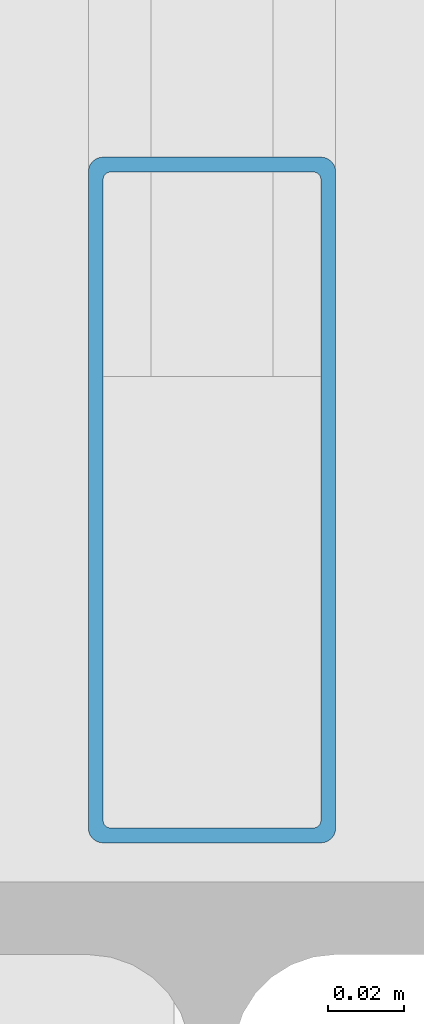
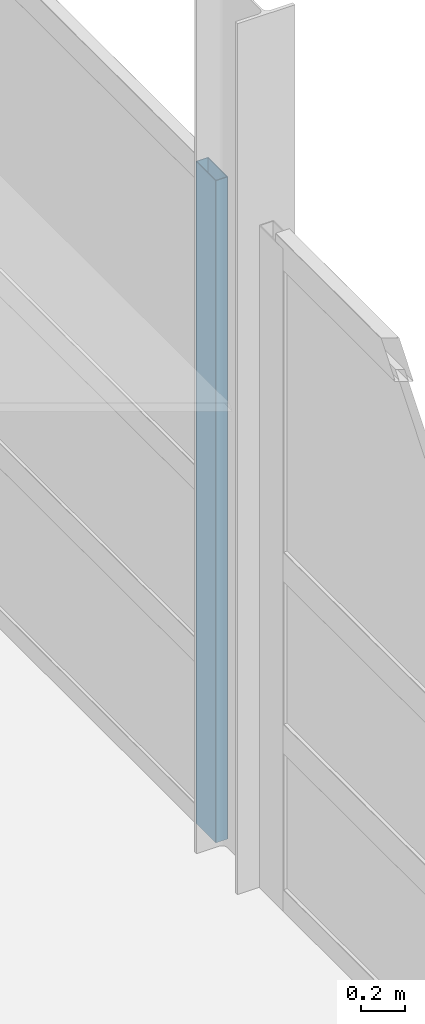
# One storey, part 49 of 147: 1 member, 1 element without a shape of its own.
"""IFC4 building model written with IfcOpenShell, lengths in metres."""

from ifc_helpers import new_model, si_unit, direction, frame, origin, origin_2d, place, context, subcontext, project, spatial, hollow_rectangle, extrude, material, material_profile, profile_set, type_object, element, aggregate, save


model = new_model("IFC4")

# Units and contexts
model_context = context("Model", 3, precision=1e-05, world=origin(), true_north=direction((0.0, 1.0)))
body_context = subcontext(model_context, "Body", "Model", "MODEL_VIEW")
ifc_project = project(units=[si_unit("LENGTHUNIT", "METRE"), si_unit("AREAUNIT", "SQUARE_METRE"), si_unit("VOLUMEUNIT", "CUBIC_METRE"), si_unit("PLANEANGLEUNIT", "RADIAN"), si_unit("MASSUNIT", "GRAM", prefix="KILO")], contexts=[model_context])

# Site, building, storey
site_placement = place(None, origin())
site = spatial("IfcSite", under=ifc_project, at=site_placement, CompositionType="ELEMENT")
building_placement = place(site_placement, origin())
building = spatial("IfcBuilding", under=site, at=building_placement, Name="Khelvaren Railside Concert Hall", CompositionType="ELEMENT")
storey_placement = place(building_placement, frame((0.0, 0.0, 5.39990234375)))
storey = spatial("IfcBuildingStorey", under=building, at=storey_placement, Name="L01", CompositionType="ELEMENT", Elevation=5.39990234375)

# Curtain wall, member
ifc_material_1 = material(Name="Double-glazed low-E dark acoustic glass", Category="glass")
curtain_wall_type = type_object("IfcCurtainWallType", Name="CW65", PredefinedType="USERDEFINED", material=ifc_material_1)
curtain_wall_placement = place(storey_placement, origin())
curtain_wall = element("IfcCurtainWall", 1, at=curtain_wall_placement, inside=storey, type_object=curtain_wall_type, Name="Unitised Curtain Wall CW-V2-L01-E-30", ObjectType="UNITISED CURTAIN WALL", PredefinedType="USERDEFINED")
ifc_material_2 = material(Name="Anodised architectural aluminium 6063-T6", Category="aluminium")
ifc_material_profile = material_profile(ifc_material_2, hollow_rectangle(XDim=0.06494140625, YDim=0.179931640625, WallThickness=0.00390625, InnerFilletRadius=0.001953125, OuterFilletRadius=0.00390625, at=origin_2d()), Name="CWM 65x180x4")
ifc_profile_set = profile_set([ifc_material_profile], Name="Anodised architectural aluminium 6063-T6")
member_type = type_object("IfcMemberType", Name="CWM63", PredefinedType="MULLION", material=ifc_profile_set)
member_placement = place(storey_placement, frame((184.0, 30.695068359375, 0.0), z_axis=(0.0, 0.0, 1.0), x_axis=(1.0, 0.0, 0.0)))
member = element("IfcMember", 2, at=member_placement, type_object=member_type, Name="CW65 mullion 4", PredefinedType="MULLION", context=body_context, shape_type="SweptSolid", body=[
    extrude(hollow_rectangle(XDim=0.06494140625, YDim=0.179931640625, WallThickness=0.00390625, InnerFilletRadius=0.001953125, OuterFilletRadius=0.00390625, at=origin_2d()), origin(), (0.0, 0.0, 1.0), 3.650146484375),
])
aggregate(curtain_wall, [member])

save(model, "model.ifc")
